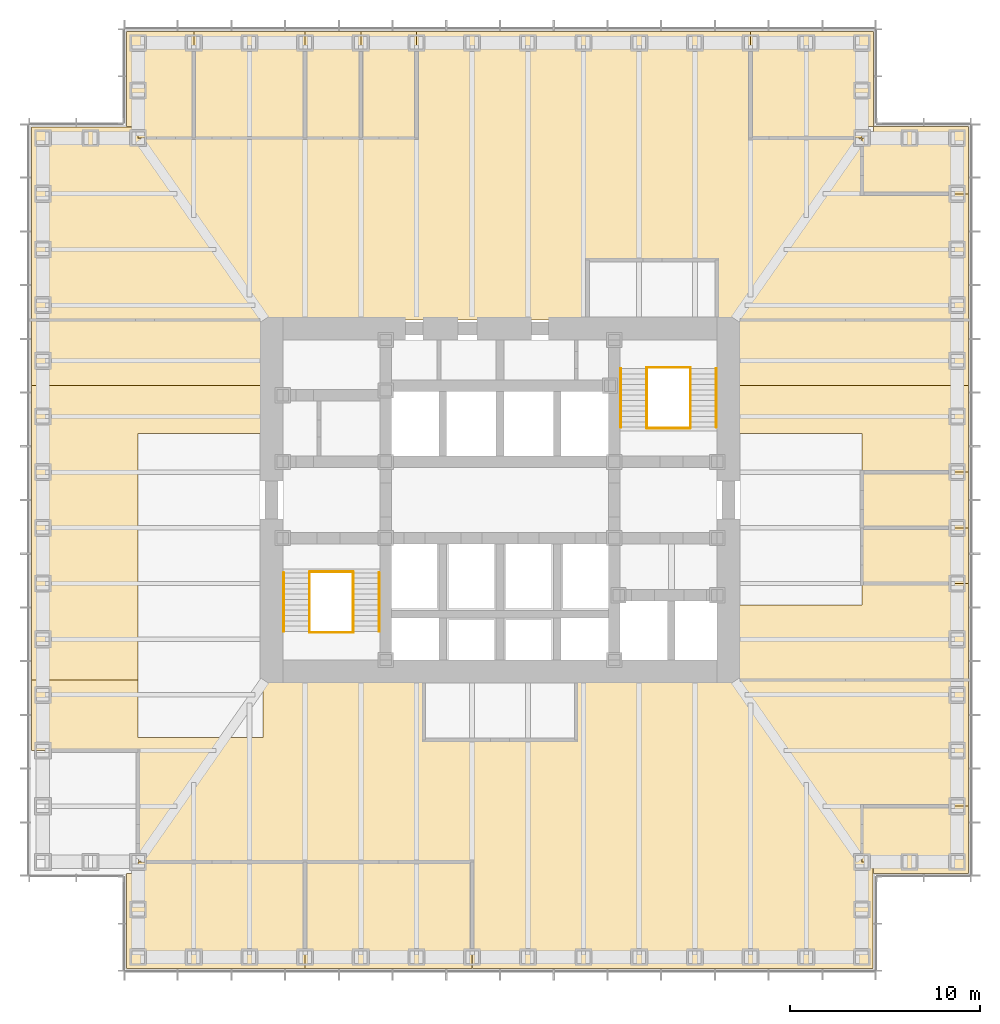
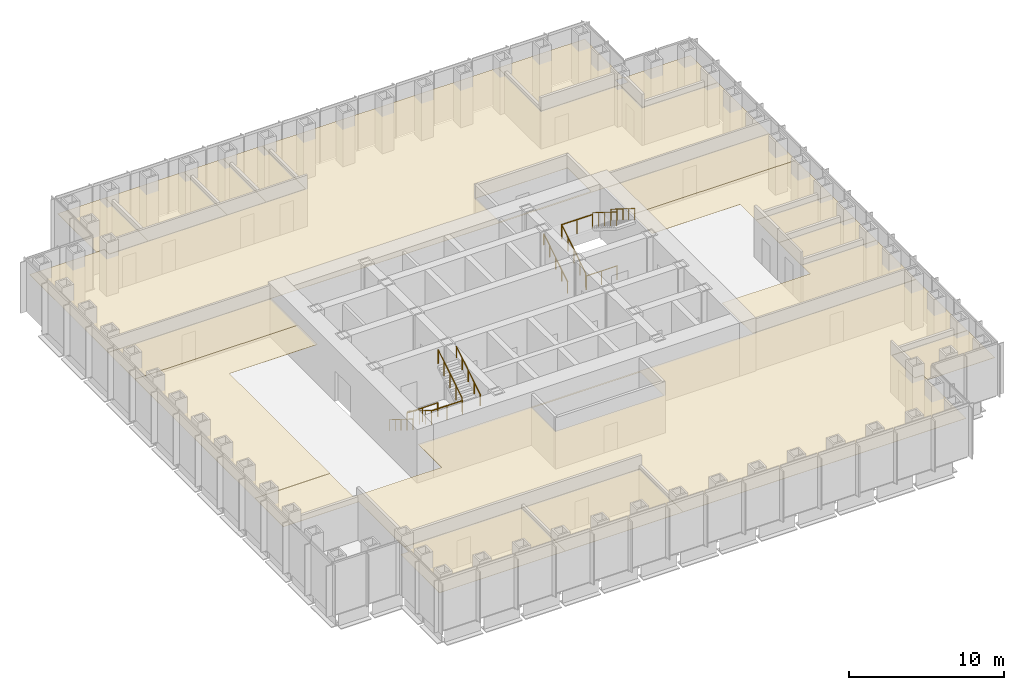
# One storey, part 16 of 16: 18 coverings, 12 railings.
"""IFC4 building model written with IfcOpenShell, lengths in metres."""

from ifc_helpers import new_model, si_unit, direction, frame, origin, origin_2d, place, context, subcontext, project, spatial, polyline, circle, outline, extrude, material, layer, layer_set, type_object, element, save


model = new_model("IFC4")

# Units and contexts
model_context = context("Model", 3, precision=1e-05, world=origin(), true_north=direction((0.0, 1.0)))
body_context = subcontext(model_context, "Body", "Model", "MODEL_VIEW")
ifc_project = project(units=[si_unit("LENGTHUNIT", "METRE"), si_unit("AREAUNIT", "SQUARE_METRE"), si_unit("VOLUMEUNIT", "CUBIC_METRE"), si_unit("PLANEANGLEUNIT", "RADIAN"), si_unit("MASSUNIT", "GRAM", prefix="KILO")], contexts=[model_context])

# Site, building, storey
site_placement = place(None, origin())
site = spatial("IfcSite", under=ifc_project, at=site_placement, CompositionType="ELEMENT")
building_placement = place(site_placement, origin())
building = spatial("IfcBuilding", under=site, at=building_placement, Name="Daluyong Arena Tower", CompositionType="ELEMENT")
storey_placement = place(building_placement, frame((0.0, 0.0, 68.5)))
storey = spatial("IfcBuildingStorey", under=building, at=storey_placement, Name="L14", CompositionType="ELEMENT", Elevation=68.5)

# Coverings
ifc_material_1 = material(Name="Mineral fibre ceiling tile", Category="gypsum board")
ifc_layer = layer(ifc_material_1, 0.02001953125)
ifc_layer_set = layer_set([ifc_layer], Name="Mineral fibre ceiling tile")
covering_type = type_object("IfcCoveringType", Name="Office ceiling", PredefinedType="CEILING", material=ifc_layer_set)
covering_1_placement = place(storey_placement, frame((0.0, 0.0, 2.89990234375)))
element("IfcCovering", 1, at=covering_1_placement, inside=storey, type_object=covering_type, Name="ceiling L14-01", PredefinedType="CEILING", context=body_context, shape_type="SweptSolid", body=[
    extrude(outline(polyline([(36.39990234375, 60.39990234375), (36.39990234375, 55.39990234375), (45.769287109375, 55.39990234375), (45.769287109375, 61.0), (37.0, 61.0), (37.0, 60.39990234375), (36.39990234375, 60.39990234375)])), origin(), (0.0, 0.0, 1.0), 0.02001953125),
])
covering_2_placement = place(storey_placement, frame((0.0, 0.0, 2.89990234375)))
element("IfcCovering", 2, at=covering_2_placement, inside=storey, type_object=covering_type, Name="ceiling L14-02", PredefinedType="CEILING", context=body_context, shape_type="SweptSolid", body=[
    extrude(outline(polyline([(45.769287109375, 61.0), (45.769287109375, 55.39990234375), (54.53857421875, 55.39990234375), (54.53857421875, 61.0), (45.769287109375, 61.0)])), origin(), (0.0, 0.0, 1.0), 0.02001953125),
])
covering_3_placement = place(storey_placement, frame((0.0, 0.0, 2.89990234375)))
element("IfcCovering", 3, at=covering_3_placement, inside=storey, type_object=covering_type, Name="ceiling L14-03", PredefinedType="CEILING", context=body_context, shape_type="SweptSolid", body=[
    extrude(outline(polyline([(75.60009765625, 60.39990234375), (80.60009765625, 60.39990234375), (80.60009765625, 63.923095703125), (75.0, 63.923095703125), (75.0, 61.0), (75.60009765625, 61.0), (75.60009765625, 60.39990234375)])), origin(), (0.0, 0.0, 1.0), 0.02001953125),
])
covering_4_placement = place(storey_placement, frame((0.0, 0.0, 2.89990234375)))
element("IfcCovering", 4, at=covering_4_placement, inside=storey, type_object=covering_type, Name="ceiling L14-04", PredefinedType="CEILING", context=body_context, shape_type="SweptSolid", body=[
    extrude(outline(polyline([(75.0, 75.615478515625), (80.60009765625, 75.615478515625), (80.60009765625, 78.53857421875), (75.0, 78.53857421875), (75.0, 75.615478515625)])), origin(), (0.0, 0.0, 1.0), 0.02001953125),
])
covering_5_placement = place(storey_placement, frame((0.0, 0.0, 2.89990234375)))
element("IfcCovering", 5, at=covering_5_placement, inside=storey, type_object=covering_type, Name="ceiling L14-05", PredefinedType="CEILING", context=body_context, shape_type="SweptSolid", body=[
    extrude(outline(polyline([(75.0, 78.53857421875), (80.60009765625, 78.53857421875), (80.60009765625, 81.46142578125), (75.0, 81.46142578125), (75.0, 78.53857421875)])), origin(), (0.0, 0.0, 1.0), 0.02001953125),
])
covering_6_placement = place(storey_placement, frame((0.0, 0.0, 2.89990234375)))
element("IfcCovering", 6, at=covering_6_placement, inside=storey, type_object=covering_type, Name="ceiling L14-06", PredefinedType="CEILING", context=body_context, shape_type="SweptSolid", body=[
    extrude(outline(polyline([(75.0, 96.076904296875), (80.60009765625, 96.076904296875), (80.60009765625, 99.60009765625), (75.60009765625, 99.60009765625), (75.60009765625, 99.0), (75.0, 99.0), (75.0, 96.076904296875)])), origin(), (0.0, 0.0, 1.0), 0.02001953125),
])
covering_7_placement = place(storey_placement, frame((0.0, 0.0, 2.89990234375)))
element("IfcCovering", 7, at=covering_7_placement, inside=storey, type_object=covering_type, Name="ceiling L14-07", PredefinedType="CEILING", context=body_context, shape_type="SweptSolid", body=[
    extrude(outline(polyline([(39.923095703125, 99.0), (39.923095703125, 104.60009765625), (36.39990234375, 104.60009765625), (36.39990234375, 99.60009765625), (37.0, 99.60009765625), (37.0, 99.0), (39.923095703125, 99.0)])), origin(), (0.0, 0.0, 1.0), 0.02001953125),
])
covering_8_placement = place(storey_placement, frame((0.0, 0.0, 2.89990234375)))
element("IfcCovering", 8, at=covering_8_placement, inside=storey, type_object=covering_type, Name="ceiling L14-08", PredefinedType="CEILING", context=body_context, shape_type="SweptSolid", body=[
    extrude(outline(polyline([(45.769287109375, 99.0), (45.769287109375, 104.60009765625), (39.923095703125, 104.60009765625), (39.923095703125, 99.0), (45.769287109375, 99.0)])), origin(), (0.0, 0.0, 1.0), 0.02001953125),
])
covering_9_placement = place(storey_placement, frame((0.0, 0.0, 2.89990234375)))
element("IfcCovering", 9, at=covering_9_placement, inside=storey, type_object=covering_type, Name="ceiling L14-09", PredefinedType="CEILING", context=body_context, shape_type="SweptSolid", body=[
    extrude(outline(polyline([(48.6923828125, 99.0), (48.6923828125, 104.60009765625), (45.769287109375, 104.60009765625), (45.769287109375, 99.0), (48.6923828125, 99.0)])), origin(), (0.0, 0.0, 1.0), 0.02001953125),
])
covering_10_placement = place(storey_placement, frame((0.0, 0.0, 2.89990234375)))
element("IfcCovering", 10, at=covering_10_placement, inside=storey, type_object=covering_type, Name="ceiling L14-10", PredefinedType="CEILING", context=body_context, shape_type="SweptSolid", body=[
    extrude(outline(polyline([(51.615478515625, 99.0), (51.615478515625, 104.60009765625), (48.6923828125, 104.60009765625), (48.6923828125, 99.0), (51.615478515625, 99.0)])), origin(), (0.0, 0.0, 1.0), 0.02001953125),
])
covering_11_placement = place(storey_placement, frame((0.0, 0.0, 2.89990234375)))
element("IfcCovering", 11, at=covering_11_placement, inside=storey, type_object=covering_type, Name="ceiling L14-11", PredefinedType="CEILING", context=body_context, shape_type="SweptSolid", body=[
    extrude(outline(polyline([(69.15380859375, 99.0), (75.0, 99.0), (75.0, 99.60009765625), (75.60009765625, 99.60009765625), (75.60009765625, 104.60009765625), (69.15380859375, 104.60009765625), (69.15380859375, 99.0)])), origin(), (0.0, 0.0, 1.0), 0.02001953125),
])
covering_12_placement = place(storey_placement, frame((0.0, 0.0, 2.89990234375)))
element("IfcCovering", 12, at=covering_12_placement, inside=storey, type_object=covering_type, Name="ceiling L14-17", PredefinedType="CEILING", context=body_context, shape_type="SweptSolid", body=[
    extrude(outline(polyline([(37.010009765625, 61.010009765625), (54.548583984375, 61.010009765625), (54.548583984375, 55.409912109375), (75.590087890625, 55.409912109375), (75.590087890625, 60.989990234375), (74.989990234375, 60.989990234375), (74.989990234375, 63.93310546875), (80.590087890625, 63.93310546875), (80.590087890625, 70.5400390625), (43.56005859375, 70.5400390625), (43.56005859375, 67.5400390625), (36.989990234375, 67.5400390625), (36.989990234375, 70.5400390625), (31.409912109375, 70.5400390625), (31.409912109375, 66.856201171875), (37.010009765625, 66.856201171875), (37.010009765625, 61.010009765625)]), holes=[polyline([(60.010009765625, 67.389892578125), (51.989990234375, 67.389892578125), (51.989990234375, 70.409912109375), (60.010009765625, 70.409912109375), (60.010009765625, 67.389892578125)])]), origin(), (0.0, 0.0, 1.0), 0.02001953125),
])
covering_13_placement = place(storey_placement, frame((0.0, 0.0, 2.89990234375)))
element("IfcCovering", 13, at=covering_13_placement, inside=storey, type_object=covering_type, Name="ceiling L14-18", PredefinedType="CEILING", context=body_context, shape_type="SweptSolid", body=[
    extrude(outline(polyline([(51.62548828125, 98.989990234375), (36.989990234375, 98.989990234375), (36.989990234375, 99.590087890625), (31.409912109375, 99.590087890625), (31.409912109375, 89.4599609375), (80.590087890625, 89.4599609375), (80.590087890625, 96.06689453125), (74.989990234375, 96.06689453125), (74.989990234375, 98.989990234375), (69.143798828125, 98.989990234375), (69.143798828125, 104.590087890625), (51.62548828125, 104.590087890625), (51.62548828125, 98.989990234375)]), holes=[polyline([(67.409912109375, 89.590087890625), (60.590087890625, 89.590087890625), (60.590087890625, 92.610107421875), (67.409912109375, 92.610107421875), (67.409912109375, 89.590087890625)])]), origin(), (0.0, 0.0, 1.0), 0.02001953125),
])
covering_14_placement = place(storey_placement, frame((0.0, 0.0, 2.89990234375)))
element("IfcCovering", 14, at=covering_14_placement, inside=storey, type_object=covering_type, Name="ceiling L14-19", PredefinedType="CEILING", context=body_context, shape_type="SweptSolid", body=[
    extrude(outline(polyline([(43.550048828125, 83.5), (43.550048828125, 86.0), (31.39990234375, 86.0), (31.39990234375, 70.550048828125), (37.0, 70.550048828125), (37.0, 83.5), (43.550048828125, 83.5)])), origin(), (0.0, 0.0, 1.0), 0.02001953125),
])
covering_15_placement = place(storey_placement, frame((0.0, 0.0, 2.89990234375)))
element("IfcCovering", 15, at=covering_15_placement, inside=storey, type_object=covering_type, Name="ceiling L14-20", PredefinedType="CEILING", context=body_context, shape_type="SweptSolid", body=[
    extrude(outline(polyline([(43.550048828125, 86.0), (43.550048828125, 89.449951171875), (31.39990234375, 89.449951171875), (31.39990234375, 86.0), (43.550048828125, 86.0)])), origin(), (0.0, 0.0, 1.0), 0.02001953125),
])
covering_16_placement = place(storey_placement, frame((0.0, 0.0, 2.89990234375)))
element("IfcCovering", 16, at=covering_16_placement, inside=storey, type_object=covering_type, Name="ceiling L14-21", PredefinedType="CEILING", context=body_context, shape_type="SweptSolid", body=[
    extrude(outline(polyline([(80.60009765625, 81.46142578125), (80.60009765625, 86.0), (68.449951171875, 86.0), (68.449951171875, 83.5), (75.0, 83.5), (75.0, 81.46142578125), (80.60009765625, 81.46142578125)])), origin(), (0.0, 0.0, 1.0), 0.02001953125),
])
covering_17_placement = place(storey_placement, frame((0.0, 0.0, 2.89990234375)))
element("IfcCovering", 17, at=covering_17_placement, inside=storey, type_object=covering_type, Name="ceiling L14-22", PredefinedType="CEILING", context=body_context, shape_type="SweptSolid", body=[
    extrude(outline(polyline([(68.449951171875, 74.5), (68.449951171875, 70.550048828125), (80.60009765625, 70.550048828125), (80.60009765625, 75.615478515625), (75.0, 75.615478515625), (75.0, 74.5), (68.449951171875, 74.5)])), origin(), (0.0, 0.0, 1.0), 0.02001953125),
])
covering_18_placement = place(storey_placement, frame((0.0, 0.0, 2.89990234375)))
element("IfcCovering", 18, at=covering_18_placement, inside=storey, type_object=covering_type, Name="ceiling L14-23", PredefinedType="CEILING", context=body_context, shape_type="SweptSolid", body=[
    extrude(outline(polyline([(80.60009765625, 86.0), (80.60009765625, 89.449951171875), (68.449951171875, 89.449951171875), (68.449951171875, 86.0), (80.60009765625, 86.0)])), origin(), (0.0, 0.0, 1.0), 0.02001953125),
])

# Railings
ifc_material_2 = material(Name="Stainless steel handrail", Category="steel")
railing_type_1 = type_object("IfcRailingType", Name="Stair handrail", PredefinedType="HANDRAIL", material=ifc_material_2)
railing_1_placement = place(storey_placement, frame((44.64990234375, 76.175048828125, 0.175048828125)))
element("IfcRailing", 19, at=railing_1_placement, inside=storey, type_object=railing_type_1, Name="exit stair A handrail L14", PredefinedType="HANDRAIL", context=body_context, shape_type="SweptSolid", body=[
    extrude(circle(Radius=0.02392578125, at=origin_2d()), frame((0.0, 0.0, 0.8759765625), z_axis=(0.0, -0.847998304005, 0.529998940003), x_axis=(1.0, 0.0, 0.0)), (0.0, 0.0, 1.0), 3.632080078125),
    extrude(circle(Radius=0.02099609375, at=origin_2d()), origin(), (0.0, 0.0, 1.0), 0.851806640625),
    extrude(circle(Radius=0.02099609375, at=origin_2d()), frame((0.0, -0.77001953125, 0.481201171875)), (0.0, 0.0, 1.0), 0.851806640625),
    extrude(circle(Radius=0.02099609375, at=origin_2d()), frame((0.0, -1.5400390625, 0.96240234375)), (0.0, 0.0, 1.0), 0.851806640625),
    extrude(circle(Radius=0.02099609375, at=origin_2d()), frame((0.0, -2.31005859375, 1.44384765625)), (0.0, 0.0, 1.0), 0.851806640625),
    extrude(circle(Radius=0.02099609375, at=origin_2d()), frame((0.0, -3.080078125, 1.925048828125)), (0.0, 0.0, 1.0), 0.851806640625),
])
for number, where, name in (
    (20, (49.64990234375, 73.094970703125, 2.27490234375), "exit stair A handrail L14"),
    (21, (62.35009765625, 83.824951171875, 0.175048828125), "exit stair B handrail L14"),
):
    element("IfcRailing", number, at=place(storey_placement, frame(where)), inside=storey, type_object=railing_type_1, Name=name, PredefinedType="HANDRAIL", context=body_context, shape_type="SweptSolid", body=[
        extrude(circle(Radius=0.02392578125, at=origin_2d()), frame((0.0, 0.0, 0.8759765625), z_axis=(0.0, 0.847998304005, 0.529998940003), x_axis=(-1.0, 0.0, 0.0)), (0.0, 0.0, 1.0), 3.632080078125),
        extrude(circle(Radius=0.02099609375, at=origin_2d()), origin(), (0.0, 0.0, 1.0), 0.851806640625),
        extrude(circle(Radius=0.02099609375, at=origin_2d()), frame((0.0, 0.77001953125, 0.481201171875)), (0.0, 0.0, 1.0), 0.851806640625),
        extrude(circle(Radius=0.02099609375, at=origin_2d()), frame((0.0, 1.5400390625, 0.96240234375)), (0.0, 0.0, 1.0), 0.851806640625),
        extrude(circle(Radius=0.02099609375, at=origin_2d()), frame((0.0, 2.31005859375, 1.44384765625)), (0.0, 0.0, 1.0), 0.851806640625),
        extrude(circle(Radius=0.02099609375, at=origin_2d()), frame((0.0, 3.080078125, 1.925048828125)), (0.0, 0.0, 1.0), 0.851806640625),
    ])
railing_2_placement = place(storey_placement, frame((67.35009765625, 86.905029296875, 2.27490234375)))
element("IfcRailing", 22, at=railing_2_placement, inside=storey, type_object=railing_type_1, Name="exit stair B handrail L14", PredefinedType="HANDRAIL", context=body_context, shape_type="SweptSolid", body=[
    extrude(circle(Radius=0.02392578125, at=origin_2d()), frame((0.0, 0.0, 0.8759765625), z_axis=(0.0, -0.847998304005, 0.529998940003), x_axis=(1.0, 0.0, 0.0)), (0.0, 0.0, 1.0), 3.632080078125),
    extrude(circle(Radius=0.02099609375, at=origin_2d()), origin(), (0.0, 0.0, 1.0), 0.851806640625),
    extrude(circle(Radius=0.02099609375, at=origin_2d()), frame((0.0, -0.77001953125, 0.481201171875)), (0.0, 0.0, 1.0), 0.851806640625),
    extrude(circle(Radius=0.02099609375, at=origin_2d()), frame((0.0, -1.5400390625, 0.96240234375)), (0.0, 0.0, 1.0), 0.851806640625),
    extrude(circle(Radius=0.02099609375, at=origin_2d()), frame((0.0, -2.31005859375, 1.44384765625)), (0.0, 0.0, 1.0), 0.851806640625),
    extrude(circle(Radius=0.02099609375, at=origin_2d()), frame((0.0, -3.080078125, 1.925048828125)), (0.0, 0.0, 1.0), 0.851806640625),
])
ifc_material_3 = material(Name="Steel balustrade", Category="steel")
railing_type_2 = type_object("IfcRailingType", Name="Stair well guard 1100", PredefinedType="GUARDRAIL", material=ifc_material_3)
railing_3_placement = place(storey_placement, frame((46.0, 76.175048828125, 0.175048828125)))
element("IfcRailing", 23, at=railing_3_placement, inside=storey, type_object=railing_type_2, Name="exit stair A well guard L14", PredefinedType="GUARDRAIL", context=body_context, shape_type="SweptSolid", body=[
    extrude(circle(Radius=0.02392578125, at=origin_2d()), frame((0.0, 0.0, 1.076171875), z_axis=(0.0, -0.847998304005, 0.529998940003), x_axis=(1.0, 0.0, 0.0)), (0.0, 0.0, 1.0), 3.632080078125),
    extrude(circle(Radius=0.02099609375, at=origin_2d()), origin(), (0.0, 0.0, 1.0), 1.052001953125),
    extrude(circle(Radius=0.02099609375, at=origin_2d()), frame((0.0, -0.77001953125, 0.481201171875)), (0.0, 0.0, 1.0), 1.052001953125),
    extrude(circle(Radius=0.02099609375, at=origin_2d()), frame((0.0, -1.5400390625, 0.96240234375)), (0.0, 0.0, 1.0), 1.052001953125),
    extrude(circle(Radius=0.02099609375, at=origin_2d()), frame((0.0, -2.31005859375, 1.44384765625)), (0.0, 0.0, 1.0), 1.052001953125),
    extrude(circle(Radius=0.02099609375, at=origin_2d()), frame((0.0, -3.080078125, 1.925048828125)), (0.0, 0.0, 1.0), 1.052001953125),
])
railing_4_placement = place(storey_placement, frame((48.300048828125, 73.094970703125, 2.27490234375)))
element("IfcRailing", 24, at=railing_4_placement, inside=storey, type_object=railing_type_2, Name="exit stair A well guard L14", PredefinedType="GUARDRAIL", context=body_context, shape_type="SweptSolid", body=[
    extrude(circle(Radius=0.02392578125, at=origin_2d()), frame((0.0, 0.0, 1.076171875), z_axis=(0.0, 0.847998304005, 0.529998940003), x_axis=(-1.0, 0.0, 0.0)), (0.0, 0.0, 1.0), 3.632080078125),
    extrude(circle(Radius=0.02099609375, at=origin_2d()), origin(), (0.0, 0.0, 1.0), 1.052001953125),
    extrude(circle(Radius=0.02099609375, at=origin_2d()), frame((0.0, 0.77001953125, 0.481201171875)), (0.0, 0.0, 1.0), 1.052001953125),
    extrude(circle(Radius=0.02099609375, at=origin_2d()), frame((0.0, 1.5400390625, 0.96240234375)), (0.0, 0.0, 1.0), 1.052001953125),
    extrude(circle(Radius=0.02099609375, at=origin_2d()), frame((0.0, 2.31005859375, 1.44384765625)), (0.0, 0.0, 1.0), 1.052001953125),
    extrude(circle(Radius=0.02099609375, at=origin_2d()), frame((0.0, 3.080078125, 1.925048828125)), (0.0, 0.0, 1.0), 1.052001953125),
])
for number, where, name in (
    (25, (46.0, 73.044921875, 2.10009765625), "exit stair A landing guard L14"),
    (26, (46.0, 76.22509765625, 0.0), "exit stair A floor landing guard L14"),
):
    element("IfcRailing", number, at=place(storey_placement, frame(where)), inside=storey, type_object=railing_type_2, Name=name, PredefinedType="GUARDRAIL", context=body_context, shape_type="SweptSolid", body=[
        extrude(circle(Radius=0.02392578125, at=origin_2d()), frame((0.0, 0.0, 1.076171875), z_axis=(1.0, 0.0, 0.0), x_axis=(0.0, 1.0, 0.0)), (0.0, 0.0, 1.0), 2.300048828125),
        extrude(circle(Radius=0.02099609375, at=origin_2d()), origin(), (0.0, 0.0, 1.0), 1.052001953125),
        extrude(circle(Radius=0.02099609375, at=origin_2d()), frame((1.14990234375, 0.0, 0.0)), (0.0, 0.0, 1.0), 1.052001953125),
        extrude(circle(Radius=0.02099609375, at=origin_2d()), frame((2.300048828125, 0.0, 0.0)), (0.0, 0.0, 1.0), 1.052001953125),
    ])
railing_5_placement = place(storey_placement, frame((63.699951171875, 83.824951171875, 0.175048828125)))
element("IfcRailing", 27, at=railing_5_placement, inside=storey, type_object=railing_type_2, Name="exit stair B well guard L14", PredefinedType="GUARDRAIL", context=body_context, shape_type="SweptSolid", body=[
    extrude(circle(Radius=0.02392578125, at=origin_2d()), frame((0.0, 0.0, 1.076171875), z_axis=(0.0, 0.847998304005, 0.529998940003), x_axis=(-1.0, 0.0, 0.0)), (0.0, 0.0, 1.0), 3.632080078125),
    extrude(circle(Radius=0.02099609375, at=origin_2d()), origin(), (0.0, 0.0, 1.0), 1.052001953125),
    extrude(circle(Radius=0.02099609375, at=origin_2d()), frame((0.0, 0.77001953125, 0.481201171875)), (0.0, 0.0, 1.0), 1.052001953125),
    extrude(circle(Radius=0.02099609375, at=origin_2d()), frame((0.0, 1.5400390625, 0.96240234375)), (0.0, 0.0, 1.0), 1.052001953125),
    extrude(circle(Radius=0.02099609375, at=origin_2d()), frame((0.0, 2.31005859375, 1.44384765625)), (0.0, 0.0, 1.0), 1.052001953125),
    extrude(circle(Radius=0.02099609375, at=origin_2d()), frame((0.0, 3.080078125, 1.925048828125)), (0.0, 0.0, 1.0), 1.052001953125),
])
railing_6_placement = place(storey_placement, frame((66.0, 86.905029296875, 2.27490234375)))
element("IfcRailing", 28, at=railing_6_placement, inside=storey, type_object=railing_type_2, Name="exit stair B well guard L14", PredefinedType="GUARDRAIL", context=body_context, shape_type="SweptSolid", body=[
    extrude(circle(Radius=0.02392578125, at=origin_2d()), frame((0.0, 0.0, 1.076171875), z_axis=(0.0, -0.847998304005, 0.529998940003), x_axis=(1.0, 0.0, 0.0)), (0.0, 0.0, 1.0), 3.632080078125),
    extrude(circle(Radius=0.02099609375, at=origin_2d()), origin(), (0.0, 0.0, 1.0), 1.052001953125),
    extrude(circle(Radius=0.02099609375, at=origin_2d()), frame((0.0, -0.77001953125, 0.481201171875)), (0.0, 0.0, 1.0), 1.052001953125),
    extrude(circle(Radius=0.02099609375, at=origin_2d()), frame((0.0, -1.5400390625, 0.96240234375)), (0.0, 0.0, 1.0), 1.052001953125),
    extrude(circle(Radius=0.02099609375, at=origin_2d()), frame((0.0, -2.31005859375, 1.44384765625)), (0.0, 0.0, 1.0), 1.052001953125),
    extrude(circle(Radius=0.02099609375, at=origin_2d()), frame((0.0, -3.080078125, 1.925048828125)), (0.0, 0.0, 1.0), 1.052001953125),
])
for number, where, name in (
    (29, (63.699951171875, 86.955078125, 2.10009765625), "exit stair B landing guard L14"),
    (30, (63.699951171875, 83.77490234375, 0.0), "exit stair B floor landing guard L14"),
):
    element("IfcRailing", number, at=place(storey_placement, frame(where)), inside=storey, type_object=railing_type_2, Name=name, PredefinedType="GUARDRAIL", context=body_context, shape_type="SweptSolid", body=[
        extrude(circle(Radius=0.02392578125, at=origin_2d()), frame((0.0, 0.0, 1.076171875), z_axis=(1.0, 0.0, 0.0), x_axis=(0.0, 1.0, 0.0)), (0.0, 0.0, 1.0), 2.300048828125),
        extrude(circle(Radius=0.02099609375, at=origin_2d()), origin(), (0.0, 0.0, 1.0), 1.052001953125),
        extrude(circle(Radius=0.02099609375, at=origin_2d()), frame((1.14990234375, 0.0, 0.0)), (0.0, 0.0, 1.0), 1.052001953125),
        extrude(circle(Radius=0.02099609375, at=origin_2d()), frame((2.300048828125, 0.0, 0.0)), (0.0, 0.0, 1.0), 1.052001953125),
    ])

save(model, "model.ifc")
